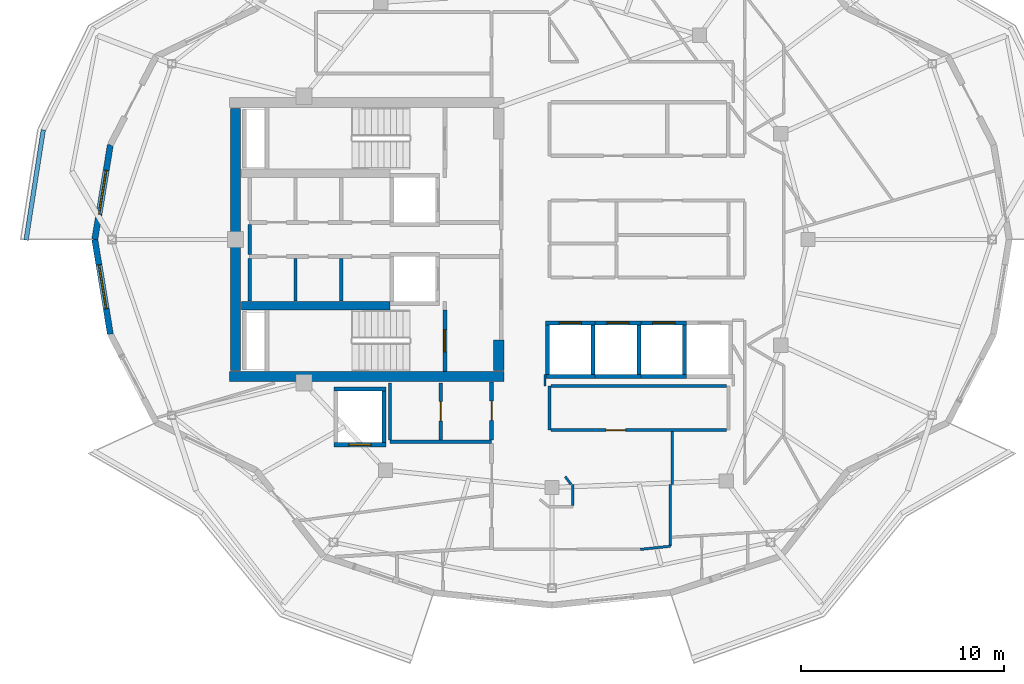
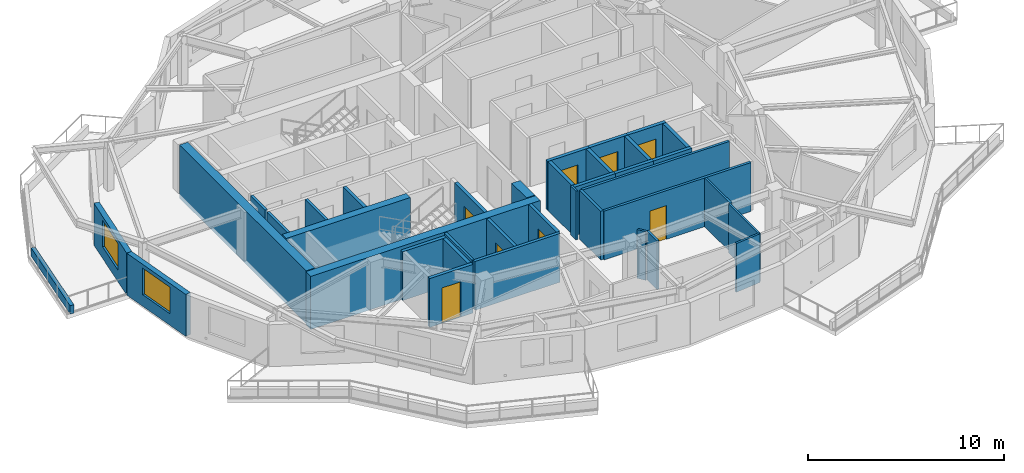
# One storey, part 4 of 11: 38 walls, 8 doors, 2 windows, 10 openings.
"""IFC4 building model written with IfcOpenShell, lengths in metres."""

from ifc_helpers import new_model, si_unit, direction, frame, frame_2d, origin, place, context, subcontext, project, spatial, rectangle, extrude, material, layer, layer_set, type_object, element, fill, save


model = new_model("IFC4")

# Units and contexts
model_context = context("Model", 3, precision=1e-05, world=origin(), true_north=direction((0.0, 1.0)))
body_context = subcontext(model_context, "Body", "Model", "MODEL_VIEW")
ifc_project = project(units=[si_unit("LENGTHUNIT", "METRE"), si_unit("AREAUNIT", "SQUARE_METRE"), si_unit("VOLUMEUNIT", "CUBIC_METRE"), si_unit("PLANEANGLEUNIT", "RADIAN"), si_unit("MASSUNIT", "GRAM", prefix="KILO")], contexts=[model_context])

# Site, building, storey
site_placement = place(None, origin())
site = spatial("IfcSite", under=ifc_project, at=site_placement, CompositionType="ELEMENT")
building_placement = place(site_placement, origin())
building = spatial("IfcBuilding", under=site, at=building_placement, Name="Kolvaren Gate Tower and Convention Centre", CompositionType="ELEMENT")
storey_placement = place(building_placement, frame((0.0, 0.0, 242.60009765625)))
storey = spatial("IfcBuildingStorey", under=building, at=storey_placement, Name="L65", CompositionType="ELEMENT", Elevation=242.60009765625)

# Walls
ifc_material_1 = material(Name="Autoclaved Aerated Masonry Blockwork Class 4 (4.0 MPa)", Category="masonry")
ifc_layer_1 = layer(ifc_material_1, 0.179931640625)
ifc_layer_set_1 = layer_set([ifc_layer_1], Name="Autoclaved Aerated Masonry Blockwork Class 4 (4.0 MPa)")
wall_type_1 = type_object("IfcWallType", Name="ARCH-WL-COMP-180", PredefinedType="SOLIDWALL", material=ifc_layer_set_1)
wall_1_placement = place(storey_placement, frame((19.75, 23.9619140625, 0.0), z_axis=(0.0, 0.0, 1.0), x_axis=(0.0, 1.0, 0.0)))
element("IfcWall", 1, at=wall_1_placement, inside=storey, type_object=wall_type_1, Name="Interior Partition WL-L65-INT-007", PredefinedType="SOLIDWALL", context=body_context, shape_type="SweptSolid", body=[
    extrude(rectangle(XDim=2.106201171875, YDim=0.179931640625, at=frame_2d((1.05322265625, 0.0))), origin(), (0.0, 0.0, 1.0), 3.02978515625),
])
wall_2_placement = place(storey_placement, frame((22.14990234375, 17.050048828125, 0.0), z_axis=(0.0, 0.0, 1.0), x_axis=(1.0, 0.0, 0.0)))
element("IfcWall", 2, at=wall_2_placement, inside=storey, type_object=wall_type_1, Name="Interior Partition WL-L65-INT-011", PredefinedType="SOLIDWALL", context=body_context, shape_type="SweptSolid", body=[
    extrude(rectangle(XDim=5.0, YDim=0.179931640625, at=frame_2d((2.5, 0.0))), origin(), (0.0, 0.0, 1.0), 3.02978515625),
])

# Wall, opening, door
wall_3_placement = place(storey_placement, frame((24.64990234375, 17.14208984375, 0.0), z_axis=(0.0, 0.0, 1.0), x_axis=(0.0, 1.0, 0.0)))
wall_3 = element("IfcWall", 3, at=wall_3_placement, inside=storey, type_object=wall_type_1, Name="Interior Partition WL-L65-INT-013", PredefinedType="SOLIDWALL", context=body_context, shape_type="SweptSolid", body=[
    extrude(rectangle(XDim=2.807861328125, YDim=0.179931640625, at=frame_2d((1.40380859375, 0.0))), origin(), (0.0, 0.0, 1.0), 3.02978515625),
])
opening_1_placement = place(wall_3_placement, frame((0.928955078125, 0.0, 0.0)))
opening_1 = element("IfcOpeningElement", 4, at=opening_1_placement, cuts=wall_3, Name="Opening DR-01", PredefinedType="OPENING", context=body_context, shape_type="SweptSolid", body=[
    extrude(rectangle(XDim=0.949951171875, YDim=2.10009765625, at=frame_2d((0.47509765625, 1.050048828125))), frame((0.0, 0.099853515625, 0.0), z_axis=(0.0, -1.0, 0.0), x_axis=(1.0, 0.0, 0.0)), (0.0, 0.0, 1.0), 0.199951171875),
])
ifc_material_2 = material(Name="Painted Architectural Steelwork ASTM A500 Grade C 345 MPa", Category="steel")
door_type_1 = type_object("IfcDoorType", Name="ARCH-DR-RISER-950", OperationType="SINGLE_SWING_RIGHT", PredefinedType="DOOR", material=ifc_material_2)
door_1_placement = place(opening_1_placement, origin())
door_1 = element("IfcDoor", 5, at=door_1_placement, inside=storey, type_object=door_type_1, Name="West Valet Store Door", OperationType="SINGLE_SWING_RIGHT", OverallHeight=2.10009765625, OverallWidth=0.949951171875, PredefinedType="DOOR", context=body_context, shape_type="SweptSolid", body=[
    extrude(rectangle(XDim=0.949951171875, YDim=2.10009765625, at=frame_2d((0.47509765625, 1.050048828125))), frame((0.0, 0.02490234375, 0.0), z_axis=(0.0, -1.0, 0.0), x_axis=(1.0, 0.0, 0.0)), (0.0, 0.0, 1.0), 0.050048828125),
])
fill(opening_1, door_1)

wall_4_placement = place(storey_placement, frame((27.14990234375, 17.14208984375, 0.0), z_axis=(0.0, 0.0, 1.0), x_axis=(0.0, 1.0, 0.0)))
wall_4 = element("IfcWall", 6, at=wall_4_placement, inside=storey, type_object=wall_type_1, Name="Interior Partition WL-L65-INT-014 (2)", PredefinedType="SOLIDWALL", context=body_context, shape_type="SweptSolid", body=[
    extrude(rectangle(XDim=2.85595703125, YDim=0.179931640625, at=frame_2d((1.427978515625, 0.0))), origin(), (0.0, 0.0, 1.0), 3.02978515625),
])
opening_2_placement = place(wall_4_placement, frame((0.952880859375, 0.0, 0.0)))
opening_2 = element("IfcOpeningElement", 7, at=opening_2_placement, cuts=wall_4, Name="Opening DR-01", PredefinedType="OPENING", context=body_context, shape_type="SweptSolid", body=[
    extrude(rectangle(XDim=0.949951171875, YDim=2.10009765625, at=frame_2d((0.47509765625, 1.050048828125))), frame((0.0, 0.099853515625, 0.0), z_axis=(0.0, -1.0, 0.0), x_axis=(1.0, 0.0, 0.0)), (0.0, 0.0, 1.0), 0.199951171875),
])
door_2_placement = place(opening_2_placement, origin())
door_2 = element("IfcDoor", 8, at=door_2_placement, inside=storey, type_object=door_type_1, Name="Metering Switch Room Door", OperationType="SINGLE_SWING_RIGHT", OverallHeight=2.10009765625, OverallWidth=0.949951171875, PredefinedType="DOOR", context=body_context, shape_type="SweptSolid", body=[
    extrude(rectangle(XDim=0.949951171875, YDim=2.10009765625, at=frame_2d((0.47509765625, 1.050048828125))), frame((0.0, 0.02490234375, 0.0), z_axis=(0.0, -1.0, 0.0), x_axis=(1.0, 0.0, 0.0)), (0.0, 0.0, 1.0), 0.050048828125),
])
fill(opening_2, door_2)

# Walls
ifc_material_3 = material(Name="Fire-Rated Acoustic Gypsum Stud Partition", Category="gypsum")
ifc_layer_2 = layer(ifc_material_3, 0.1201171875)
ifc_layer_set_2 = layer_set([ifc_layer_2], Name="Fire-Rated Acoustic Gypsum Stud Partition")
wall_type_2 = type_object("IfcWallType", Name="ARCH-WL-PART-120", PredefinedType="PARTITIONING", material=ifc_layer_set_2)
wall_5_placement = place(storey_placement, frame((29.780029296875, 19.800048828125, 0.0), z_axis=(0.0, 0.0, 1.0), x_axis=(0.0, 1.0, 0.0)))
element("IfcWall", 9, at=wall_5_placement, inside=storey, type_object=wall_type_2, Name="Interior Partition WL-L65-INT-060", PredefinedType="PARTITIONING", context=body_context, shape_type="SweptSolid", body=[
    extrude(rectangle(XDim=0.56005859375, YDim=0.1201171875, at=frame_2d((0.280029296875, 0.0))), origin(), (0.0, 0.0, 1.0), 3.02978515625),
])
wall_6_placement = place(storey_placement, frame((36.050048828125, 14.949951171875, 0.0), z_axis=(0.0, 0.0, 1.0), x_axis=(0.0, 1.0, 0.0)))
element("IfcWall", 10, at=wall_6_placement, inside=storey, type_object=wall_type_2, Name="Interior Partition WL-L65-INT-061", PredefinedType="PARTITIONING", context=body_context, shape_type="SweptSolid", body=[
    extrude(rectangle(XDim=2.593017578125, YDim=0.1201171875, at=frame_2d((1.29638671875, 0.0))), origin(), (0.0, 0.0, 1.0), 3.02978515625),
])
wall_7_placement = place(storey_placement, frame((35.949951171875, 11.906005859375, 0.0), z_axis=(0.0, 0.0, 1.0), x_axis=(0.0, 1.0, 0.0)))
element("IfcWall", 11, at=wall_7_placement, inside=storey, type_object=wall_type_2, Name="Interior Partition WL-L65-INT-062", PredefinedType="PARTITIONING", context=body_context, shape_type="SweptSolid", body=[
    extrude(rectangle(XDim=3.0439453125, YDim=0.1201171875, at=frame_2d((1.52197265625, 0.0))), origin(), (0.0, 0.0, 1.0), 3.02978515625),
])
wall_8_placement = place(storey_placement, frame((34.468017578125, 11.75, 0.0), z_axis=(0.0, 0.0, 1.0), x_axis=(0.994504555135, 0.104693313135, 0.0)))
element("IfcWall", 12, at=wall_8_placement, inside=storey, type_object=wall_type_2, Name="Interior Partition WL-L65-INT-063", PredefinedType="PARTITIONING", context=body_context, shape_type="SweptSolid", body=[
    extrude(rectangle(XDim=1.490234375, YDim=0.1201171875, at=frame_2d((0.7451171875, 0.0))), origin(), (0.0, 0.0, 1.0), 3.02978515625),
])
wall_9_placement = place(storey_placement, frame((31.14990234375, 13.912109375, 0.0), z_axis=(0.0, 0.0, 1.0), x_axis=(0.0, 1.0, 0.0)))
element("IfcWall", 13, at=wall_9_placement, inside=storey, type_object=wall_type_2, Name="Interior Partition WL-L65-INT-067", PredefinedType="PARTITIONING", context=body_context, shape_type="SweptSolid", body=[
    extrude(rectangle(XDim=1.037841796875, YDim=0.1201171875, at=frame_2d((0.51904296875, 0.0))), origin(), (0.0, 0.0, 1.0), 3.02978515625),
])
wall_10_placement = place(storey_placement, frame((30.77392578125, 15.3330078125, 0.0), z_axis=(0.0, 0.0, 1.0), x_axis=(0.595814974861, -0.803121731577, 0.0)))
element("IfcWall", 14, at=wall_10_placement, inside=storey, type_object=wall_type_2, Name="Interior Partition WL-L65-INT-068", PredefinedType="PARTITIONING", context=body_context, shape_type="SweptSolid", body=[
    extrude(rectangle(XDim=0.47705078125, YDim=0.1201171875, at=frame_2d((0.238525390625, 0.0))), origin(), (0.0, 0.0, 1.0), 3.02978515625),
])
ifc_material_4 = material(Name="Piedmont Cream Honed Limestone Cladding", Category="masonry")
ifc_layer_3 = layer(ifc_material_4, 0.219970703125)
ifc_layer_set_3 = layer_set([ifc_layer_3], Name="Piedmont Cream Honed Limestone Cladding")
wall_type_3 = type_object("IfcWallType", Name="ARCH-WL-PLANTER-220", PredefinedType="PARAPET", material=ifc_layer_set_3)
wall_11_placement = place(storey_placement, frame((4.243408203125, 26.970703125, 0.0), z_axis=(0.0, 0.0, 1.0), x_axis=(0.154441975483, 0.988001860428, 0.0)))
element("IfcWall", 15, at=wall_11_placement, inside=storey, type_object=wall_type_3, Name="Vertical-Forest Balcony Stone Planter Kerb PK-L65-2.3", PredefinedType="PARAPET", context=body_context, shape_type="SweptSolid", body=[
    extrude(rectangle(XDim=5.49169921875, YDim=0.219970703125, at=frame_2d((2.745849609375, 0.0))), origin(), (0.0, 0.0, 1.0), 0.52001953125),
])
ifc_layer_4 = layer(ifc_material_1, 0.199951171875)
ifc_layer_set_4 = layer_set([ifc_layer_4], Name="Autoclaved Aerated Masonry Blockwork Class 4 (4.0 MPa)")
wall_type_4 = type_object("IfcWallType", Name="ARCH-WL-SHAFT-200", PredefinedType="SOLIDWALL", material=ifc_layer_set_4)
wall_12_placement = place(storey_placement, frame((19.39990234375, 19.64990234375, 0.0), z_axis=(0.0, 0.0, 1.0), x_axis=(1.0, 0.0, 0.0)))
element("IfcWall", 16, at=wall_12_placement, inside=storey, type_object=wall_type_4, Name="Elevator SV-01 L65 Fire Shaft Wall N", PredefinedType="SOLIDWALL", context=body_context, shape_type="SweptSolid", body=[
    extrude(rectangle(XDim=2.550048828125, YDim=0.199951171875, at=frame_2d((1.27490234375, 0.0))), origin(), (0.0, 0.0, 1.0), 3.02978515625),
])

# Wall, opening, door
wall_13_placement = place(storey_placement, frame((19.39990234375, 16.89990234375, 0.0), z_axis=(0.0, 0.0, 1.0), x_axis=(1.0, 0.0, 0.0)))
wall_13 = element("IfcWall", 17, at=wall_13_placement, inside=storey, type_object=wall_type_4, Name="Elevator SV-01 L65 Fire Shaft Wall S", PredefinedType="SOLIDWALL", context=body_context, shape_type="SweptSolid", body=[
    extrude(rectangle(XDim=2.550048828125, YDim=0.199951171875, at=frame_2d((1.27490234375, 0.0))), origin(), (0.0, 0.0, 1.0), 3.02978515625),
])
opening_3_placement = place(wall_13_placement, frame((0.72509765625, 0.0, 0.0)))
opening_3 = element("IfcOpeningElement", 18, at=opening_3_placement, cuts=wall_13, Name="Opening LD", PredefinedType="OPENING", context=body_context, shape_type="SweptSolid", body=[
    extrude(rectangle(XDim=1.10009765625, YDim=2.199951171875, at=frame_2d((0.550048828125, 1.10009765625))), frame((0.0, 0.10986328125, 0.0), z_axis=(0.0, -1.0, 0.0), x_axis=(1.0, 0.0, 0.0)), (0.0, 0.0, 1.0), 0.219970703125),
])
ifc_material_5 = material(Name="Brushed Stainless Steel Grade 316L", Category="steel")
door_type_2 = type_object("IfcDoorType", Name="ARCH-DR-LIFT-1100", OperationType="SLIDING_TO_LEFT", PredefinedType="DOOR", material=ifc_material_5)
door_3_placement = place(opening_3_placement, origin())
door_3 = element("IfcDoor", 19, at=door_3_placement, inside=storey, type_object=door_type_2, Name="Elevator SV-01 L65 Sliding Landing Door", OperationType="SLIDING_TO_LEFT", OverallHeight=2.199951171875, OverallWidth=1.10009765625, PredefinedType="DOOR", context=body_context, shape_type="SweptSolid", body=[
    extrude(rectangle(XDim=1.10009765625, YDim=2.199951171875, at=frame_2d((0.550048828125, 1.10009765625))), frame((0.0, 0.02490234375, 0.0), z_axis=(0.0, -1.0, 0.0), x_axis=(1.0, 0.0, 0.0)), (0.0, 0.0, 1.0), 0.050048828125),
])
fill(opening_3, door_3)

# Wall
wall_14_placement = place(storey_placement, frame((21.85009765625, 17.010009765625, 0.0), z_axis=(0.0, 0.0, 1.0), x_axis=(0.0, 1.0, 0.0)))
element("IfcWall", 20, at=wall_14_placement, inside=storey, type_object=wall_type_4, Name="Elevator SV-01 L65 Fire Shaft Wall E", PredefinedType="SOLIDWALL", context=body_context, shape_type="SweptSolid", body=[
    extrude(rectangle(XDim=2.530029296875, YDim=0.199951171875, at=frame_2d((1.26513671875, 0.0))), origin(), (0.0, 0.0, 1.0), 3.02978515625),
])

# Wall, opening, door
wall_15_placement = place(storey_placement, frame((29.800048828125, 22.89990234375, 0.0), z_axis=(0.0, 0.0, 1.0), x_axis=(1.0, 0.0, 0.0)))
wall_15 = element("IfcWall", 21, at=wall_15_placement, inside=storey, type_object=wall_type_4, Name="Elevator PL-09 L65 Fire Shaft Wall N", PredefinedType="SOLIDWALL", context=body_context, shape_type="SweptSolid", body=[
    extrude(rectangle(XDim=2.449951171875, YDim=0.199951171875, at=frame_2d((1.22509765625, 0.0))), origin(), (0.0, 0.0, 1.0), 3.02978515625),
])
opening_4_placement = place(wall_15_placement, frame((0.675048828125, 0.0, 0.0)))
opening_4 = element("IfcOpeningElement", 22, at=opening_4_placement, cuts=wall_15, Name="Opening LD", PredefinedType="OPENING", context=body_context, shape_type="SweptSolid", body=[
    extrude(rectangle(XDim=1.10009765625, YDim=2.199951171875, at=frame_2d((0.550048828125, 1.10009765625))), frame((0.0, 0.10986328125, 0.0), z_axis=(0.0, -1.0, 0.0), x_axis=(1.0, 0.0, 0.0)), (0.0, 0.0, 1.0), 0.219970703125),
])
door_4_placement = place(opening_4_placement, origin())
door_4 = element("IfcDoor", 23, at=door_4_placement, inside=storey, type_object=door_type_2, Name="Elevator PL-09 L65 Sliding Landing Door", OperationType="SLIDING_TO_LEFT", OverallHeight=2.199951171875, OverallWidth=1.10009765625, PredefinedType="DOOR", context=body_context, shape_type="SweptSolid", body=[
    extrude(rectangle(XDim=1.10009765625, YDim=2.199951171875, at=frame_2d((0.550048828125, 1.10009765625))), frame((0.0, 0.02490234375, 0.0), z_axis=(0.0, -1.0, 0.0), x_axis=(1.0, 0.0, 0.0)), (0.0, 0.0, 1.0), 0.050048828125),
])
fill(opening_4, door_4)

# Walls
wall_16_placement = place(storey_placement, frame((29.800048828125, 20.25, 0.0), z_axis=(0.0, 0.0, 1.0), x_axis=(1.0, 0.0, 0.0)))
element("IfcWall", 24, at=wall_16_placement, inside=storey, type_object=wall_type_4, Name="Elevator PL-09 L65 Fire Shaft Wall S", PredefinedType="SOLIDWALL", context=body_context, shape_type="SweptSolid", body=[
    extrude(rectangle(XDim=2.449951171875, YDim=0.199951171875, at=frame_2d((1.22509765625, 0.0))), origin(), (0.0, 0.0, 1.0), 3.02978515625),
])
for number, where, z_axis, x_axis, name in (
    (25, (29.89990234375, 20.360107421875, 0.0), (0.0, 0.0, 1.0), (0.0, 1.0, 0.0), "Elevator PL-09 L65 Fire Shaft Wall W"),
    (26, (32.14990234375, 20.360107421875, 0.0), (0.0, 0.0, 1.0), (0.0, 1.0, 0.0), "Elevator PL-09 L65 Fire Shaft Wall E"),
):
    element("IfcWall", number, at=place(storey_placement, frame(where, z_axis=z_axis, x_axis=x_axis)), inside=storey, type_object=wall_type_4, Name=name, PredefinedType="SOLIDWALL", context=body_context, shape_type="SweptSolid", body=[
        extrude(rectangle(XDim=2.429931640625, YDim=0.199951171875, at=frame_2d((1.21484375, 0.0))), origin(), (0.0, 0.0, 1.0), 3.02978515625),
    ])

# Wall, opening, door
wall_17_placement = place(storey_placement, frame((32.25, 22.89990234375, 0.0), z_axis=(0.0, 0.0, 1.0), x_axis=(1.0, 0.0, 0.0)))
wall_17 = element("IfcWall", 27, at=wall_17_placement, inside=storey, type_object=wall_type_4, Name="Elevator PL-10 L65 Fire Shaft Wall N", PredefinedType="SOLIDWALL", context=body_context, shape_type="SweptSolid", body=[
    extrude(rectangle(XDim=2.25, YDim=0.199951171875, at=frame_2d((1.125, 0.0))), origin(), (0.0, 0.0, 1.0), 3.02978515625),
])
opening_5_placement = place(wall_17_placement, frame((0.574951171875, 0.0, 0.0)))
opening_5 = element("IfcOpeningElement", 28, at=opening_5_placement, cuts=wall_17, Name="Opening LD", PredefinedType="OPENING", context=body_context, shape_type="SweptSolid", body=[
    extrude(rectangle(XDim=1.10009765625, YDim=2.199951171875, at=frame_2d((0.550048828125, 1.10009765625))), frame((0.0, 0.10986328125, 0.0), z_axis=(0.0, -1.0, 0.0), x_axis=(1.0, 0.0, 0.0)), (0.0, 0.0, 1.0), 0.219970703125),
])
door_5_placement = place(opening_5_placement, origin())
door_5 = element("IfcDoor", 29, at=door_5_placement, inside=storey, type_object=door_type_2, Name="Elevator PL-10 L65 Sliding Landing Door", OperationType="SLIDING_TO_LEFT", OverallHeight=2.199951171875, OverallWidth=1.10009765625, PredefinedType="DOOR", context=body_context, shape_type="SweptSolid", body=[
    extrude(rectangle(XDim=1.10009765625, YDim=2.199951171875, at=frame_2d((0.550048828125, 1.10009765625))), frame((0.0, 0.02490234375, 0.0), z_axis=(0.0, -1.0, 0.0), x_axis=(1.0, 0.0, 0.0)), (0.0, 0.0, 1.0), 0.050048828125),
])
fill(opening_5, door_5)

# Walls
wall_18_placement = place(storey_placement, frame((32.25, 20.25, 0.0), z_axis=(0.0, 0.0, 1.0), x_axis=(1.0, 0.0, 0.0)))
element("IfcWall", 30, at=wall_18_placement, inside=storey, type_object=wall_type_4, Name="Elevator PL-10 L65 Fire Shaft Wall S", PredefinedType="SOLIDWALL", context=body_context, shape_type="SweptSolid", body=[
    extrude(rectangle(XDim=2.25, YDim=0.199951171875, at=frame_2d((1.125, 0.0))), origin(), (0.0, 0.0, 1.0), 3.02978515625),
])
wall_19_placement = place(storey_placement, frame((34.39990234375, 20.360107421875, 0.0), z_axis=(0.0, 0.0, 1.0), x_axis=(0.0, 1.0, 0.0)))
element("IfcWall", 31, at=wall_19_placement, inside=storey, type_object=wall_type_4, Name="Elevator PL-10 L65 Fire Shaft Wall E", PredefinedType="SOLIDWALL", context=body_context, shape_type="SweptSolid", body=[
    extrude(rectangle(XDim=2.429931640625, YDim=0.199951171875, at=frame_2d((1.21484375, 0.0))), origin(), (0.0, 0.0, 1.0), 3.02978515625),
])

# Wall, opening, door
wall_20_placement = place(storey_placement, frame((34.5, 22.89990234375, 0.0), z_axis=(0.0, 0.0, 1.0), x_axis=(1.0, 0.0, 0.0)))
wall_20 = element("IfcWall", 32, at=wall_20_placement, inside=storey, type_object=wall_type_4, Name="Elevator PL-11 L65 Fire Shaft Wall N", PredefinedType="SOLIDWALL", context=body_context, shape_type="SweptSolid", body=[
    extrude(rectangle(XDim=2.25, YDim=0.199951171875, at=frame_2d((1.125, 0.0))), origin(), (0.0, 0.0, 1.0), 3.02978515625),
])
opening_6_placement = place(wall_20_placement, frame((0.574951171875, 0.0, 0.0)))
opening_6 = element("IfcOpeningElement", 33, at=opening_6_placement, cuts=wall_20, Name="Opening LD", PredefinedType="OPENING", context=body_context, shape_type="SweptSolid", body=[
    extrude(rectangle(XDim=1.10009765625, YDim=2.199951171875, at=frame_2d((0.550048828125, 1.10009765625))), frame((0.0, 0.10986328125, 0.0), z_axis=(0.0, -1.0, 0.0), x_axis=(1.0, 0.0, 0.0)), (0.0, 0.0, 1.0), 0.219970703125),
])
door_6_placement = place(opening_6_placement, origin())
door_6 = element("IfcDoor", 34, at=door_6_placement, inside=storey, type_object=door_type_2, Name="Elevator PL-11 L65 Sliding Landing Door", OperationType="SLIDING_TO_LEFT", OverallHeight=2.199951171875, OverallWidth=1.10009765625, PredefinedType="DOOR", context=body_context, shape_type="SweptSolid", body=[
    extrude(rectangle(XDim=1.10009765625, YDim=2.199951171875, at=frame_2d((0.550048828125, 1.10009765625))), frame((0.0, 0.02490234375, 0.0), z_axis=(0.0, -1.0, 0.0), x_axis=(1.0, 0.0, 0.0)), (0.0, 0.0, 1.0), 0.050048828125),
])
fill(opening_6, door_6)

# Walls
wall_21_placement = place(storey_placement, frame((34.5, 20.25, 0.0), z_axis=(0.0, 0.0, 1.0), x_axis=(1.0, 0.0, 0.0)))
element("IfcWall", 35, at=wall_21_placement, inside=storey, type_object=wall_type_4, Name="Elevator PL-11 L65 Fire Shaft Wall S", PredefinedType="SOLIDWALL", context=body_context, shape_type="SweptSolid", body=[
    extrude(rectangle(XDim=2.25, YDim=0.199951171875, at=frame_2d((1.125, 0.0))), origin(), (0.0, 0.0, 1.0), 3.02978515625),
])
wall_22_placement = place(storey_placement, frame((36.64990234375, 20.360107421875, 0.0), z_axis=(0.0, 0.0, 1.0), x_axis=(0.0, 1.0, 0.0)))
element("IfcWall", 36, at=wall_22_placement, inside=storey, type_object=wall_type_4, Name="Elevator PL-11 L65 Fire Shaft Wall E", PredefinedType="SOLIDWALL", context=body_context, shape_type="SweptSolid", body=[
    extrude(rectangle(XDim=2.429931640625, YDim=0.199951171875, at=frame_2d((1.21484375, 0.0))), origin(), (0.0, 0.0, 1.0), 3.02978515625),
])

# Wall, opening, window
ifc_layer_5 = layer(ifc_material_4, 0.300048828125)
ifc_layer_set_5 = layer_set([ifc_layer_5], Name="Piedmont Cream Honed Limestone Cladding")
wall_type_5 = type_object("IfcWallType", Name="ARCH-WL-STONE-300", PredefinedType="SOLIDWALL", material=ifc_layer_set_5)
wall_23_placement = place(storey_placement, frame((7.625, 27.0, 0.0), z_axis=(0.0, 0.0, 1.0), x_axis=(0.162369371657, 0.986730047758, 0.0)))
wall_23 = element("IfcWall", 37, at=wall_23_placement, inside=storey, type_object=wall_type_5, Name="Tower L65 Honed Stone Spandrel Wall EW-11", PredefinedType="SOLIDWALL", context=body_context, shape_type="SweptSolid", body=[
    extrude(rectangle(XDim=4.721435546875, YDim=0.300048828125, at=frame_2d((2.36083984375, 0.0))), origin(), (0.0, 0.0, 1.0), 2.60498046875),
])
opening_7_placement = place(wall_23_placement, frame((1.260986328125, 0.0, 0.719970703125)))
opening_7 = element("IfcOpeningElement", 38, at=opening_7_placement, cuts=wall_23, Name="Opening W-03", PredefinedType="OPENING", context=body_context, shape_type="SweptSolid", body=[
    extrude(rectangle(XDim=2.199951171875, YDim=1.64990234375, at=frame_2d((1.10009765625, 0.824951171875))), frame((0.0, 0.159912109375, 0.0), z_axis=(0.0, -1.0, 0.0), x_axis=(1.0, 0.0, 0.0)), (0.0, 0.0, 1.0), 0.320068359375),
])
ifc_material_6 = material(Name="Low-E Triple Insulated Glazing Unit 44 mm", Category="glass")
window_type = type_object("IfcWindowType", Name="ARCH-WN-RES-2200", PartitioningType="SINGLE_PANEL", PredefinedType="WINDOW", material=ifc_material_6)
window_1_placement = place(opening_7_placement, origin())
window_1 = element("IfcWindow", 39, at=window_1_placement, inside=storey, type_object=window_type, Name="Tower L65 Punched Stone Facade Window W-11", OverallHeight=1.64990234375, OverallWidth=2.199951171875, PartitioningType="SINGLE_PANEL", PredefinedType="WINDOW", context=body_context, shape_type="SweptSolid", body=[
    extrude(rectangle(XDim=2.199951171875, YDim=1.64990234375, at=frame_2d((1.10009765625, 0.824951171875))), frame((0.0, 0.030029296875, 0.0), z_axis=(0.0, -1.0, 0.0), x_axis=(1.0, 0.0, 0.0)), (0.0, 0.0, 1.0), 0.06005859375),
])
fill(opening_7, window_1)

wall_24_placement = place(storey_placement, frame((7.625, 27.0, 0.0), z_axis=(0.0, 0.0, 1.0), x_axis=(0.162369371657, -0.986730047758, 0.0)))
wall_24 = element("IfcWall", 40, at=wall_24_placement, inside=storey, type_object=wall_type_5, Name="Tower L65 Honed Stone Spandrel Wall EW-12", PredefinedType="SOLIDWALL", context=body_context, shape_type="SweptSolid", body=[
    extrude(rectangle(XDim=4.721435546875, YDim=0.300048828125, at=frame_2d((2.36083984375, 0.0))), origin(), (0.0, 0.0, 1.0), 2.60498046875),
])
opening_8_placement = place(wall_24_placement, frame((1.260986328125, 0.0, 0.719970703125)))
opening_8 = element("IfcOpeningElement", 41, at=opening_8_placement, cuts=wall_24, Name="Opening W-03", PredefinedType="OPENING", context=body_context, shape_type="SweptSolid", body=[
    extrude(rectangle(XDim=2.199951171875, YDim=1.64990234375, at=frame_2d((1.10009765625, 0.824951171875))), frame((0.0, 0.159912109375, 0.0), z_axis=(0.0, -1.0, 0.0), x_axis=(1.0, 0.0, 0.0)), (0.0, 0.0, 1.0), 0.320068359375),
])
window_2_placement = place(opening_8_placement, origin())
window_2 = element("IfcWindow", 42, at=window_2_placement, inside=storey, type_object=window_type, Name="Tower L65 Punched Stone Facade Window W-12", OverallHeight=1.64990234375, OverallWidth=2.199951171875, PartitioningType="SINGLE_PANEL", PredefinedType="WINDOW", context=body_context, shape_type="SweptSolid", body=[
    extrude(rectangle(XDim=2.199951171875, YDim=1.64990234375, at=frame_2d((1.10009765625, 0.824951171875))), frame((0.0, 0.030029296875, 0.0), z_axis=(0.0, -1.0, 0.0), x_axis=(1.0, 0.0, 0.0)), (0.0, 0.0, 1.0), 0.06005859375),
])
fill(opening_8, window_2)

# Walls
ifc_material_7 = material(Name="Moisture-Resistant Cement-Board Acoustic Partition", Category="gypsum")
ifc_layer_6 = layer(ifc_material_7, 0.14990234375)
ifc_layer_set_6 = layer_set([ifc_layer_6], Name="Moisture-Resistant Cement-Board Acoustic Partition")
wall_type_6 = type_object("IfcWallType", Name="ARCH-WL-WET-150", PredefinedType="PARTITIONING", material=ifc_layer_set_6)
wall_25_placement = place(storey_placement, frame((15.25, 23.9619140625, 0.0), z_axis=(0.0, 0.0, 1.0), x_axis=(0.0, 1.0, 0.0)))
element("IfcWall", 43, at=wall_25_placement, inside=storey, type_object=wall_type_6, Name="Interior Partition WL-L65-INT-006", PredefinedType="PARTITIONING", context=body_context, shape_type="SweptSolid", body=[
    extrude(rectangle(XDim=2.106201171875, YDim=0.14990234375, at=frame_2d((1.05322265625, 0.0))), origin(), (0.0, 0.0, 1.0), 3.02978515625),
])
wall_26_placement = place(storey_placement, frame((15.25, 26.251953125, 0.0), z_axis=(0.0, 0.0, 1.0), x_axis=(0.0, 1.0, 0.0)))
element("IfcWall", 44, at=wall_26_placement, inside=storey, type_object=wall_type_6, Name="Interior Partition WL-L65-INT-006 (2)", PredefinedType="PARTITIONING", context=body_context, shape_type="SweptSolid", body=[
    extrude(rectangle(XDim=1.49609375, YDim=0.14990234375, at=frame_2d((0.748046875, 0.0))), origin(), (0.0, 0.0, 1.0), 3.02978515625),
])
wall_27_placement = place(storey_placement, frame((17.5, 23.9619140625, 0.0), z_axis=(0.0, 0.0, 1.0), x_axis=(0.0, 1.0, 0.0)))
element("IfcWall", 45, at=wall_27_placement, inside=storey, type_object=wall_type_6, Name="Interior Partition WL-L65-INT-009", PredefinedType="PARTITIONING", context=body_context, shape_type="SweptSolid", body=[
    extrude(rectangle(XDim=2.106201171875, YDim=0.14990234375, at=frame_2d((1.05322265625, 0.0))), origin(), (0.0, 0.0, 1.0), 3.02978515625),
])
wall_28_placement = place(storey_placement, frame((22.14990234375, 17.14208984375, 0.0), z_axis=(0.0, 0.0, 1.0), x_axis=(0.0, 1.0, 0.0)))
element("IfcWall", 46, at=wall_28_placement, inside=storey, type_object=wall_type_6, Name="Interior Partition WL-L65-INT-012", PredefinedType="PARTITIONING", context=body_context, shape_type="SweptSolid", body=[
    extrude(rectangle(XDim=2.807861328125, YDim=0.14990234375, at=frame_2d((1.40380859375, 0.0))), origin(), (0.0, 0.0, 1.0), 3.02978515625),
])
wall_29_placement = place(storey_placement, frame((30.0, 17.6201171875, 0.0), z_axis=(0.0, 0.0, 1.0), x_axis=(0.0, 1.0, 0.0)))
element("IfcWall", 47, at=wall_29_placement, inside=storey, type_object=wall_type_6, Name="Interior Partition WL-L65-INT-017", PredefinedType="PARTITIONING", context=body_context, shape_type="SweptSolid", body=[
    extrude(rectangle(XDim=2.179931640625, YDim=0.14990234375, at=frame_2d((1.08984375, 0.0))), origin(), (0.0, 0.0, 1.0), 3.02978515625),
])

# Wall, opening, door
wall_30_placement = place(storey_placement, frame((30.076904296875, 17.6201171875, 0.0), z_axis=(0.0, 0.0, 1.0), x_axis=(1.0, 0.0, 0.0)))
wall_30 = element("IfcWall", 48, at=wall_30_placement, inside=storey, type_object=wall_type_6, Name="Interior Partition WL-L65-INT-031", PredefinedType="PARTITIONING", context=body_context, shape_type="SweptSolid", body=[
    extrude(rectangle(XDim=8.64599609375, YDim=0.14990234375, at=frame_2d((4.322998046875, 0.0))), origin(), (0.0, 0.0, 1.0), 3.02978515625),
])
opening_9_placement = place(wall_30_placement, frame((2.716552734375, 0.0, 0.0)))
opening_9 = element("IfcOpeningElement", 49, at=opening_9_placement, cuts=wall_30, Name="Opening DR-01", PredefinedType="OPENING", context=body_context, shape_type="SweptSolid", body=[
    extrude(rectangle(XDim=0.949951171875, YDim=2.10009765625, at=frame_2d((0.47509765625, 1.050048828125))), frame((0.0, 0.0849609375, 0.0), z_axis=(0.0, -1.0, 0.0), x_axis=(1.0, 0.0, 0.0)), (0.0, 0.0, 1.0), 0.169921875),
])
door_7_placement = place(opening_9_placement, origin())
door_7 = element("IfcDoor", 50, at=door_7_placement, inside=storey, type_object=door_type_1, Name="Resident Luggage Store Door", OperationType="SINGLE_SWING_LEFT", OverallHeight=2.10009765625, OverallWidth=0.949951171875, PredefinedType="DOOR", context=body_context, shape_type="SweptSolid", body=[
    extrude(rectangle(XDim=0.949951171875, YDim=2.10009765625, at=frame_2d((0.47509765625, 1.050048828125))), frame((0.0, 0.02490234375, 0.0), z_axis=(0.0, -1.0, 0.0), x_axis=(1.0, 0.0, 0.0)), (0.0, 0.0, 1.0), 0.050048828125),
])
fill(opening_9, door_7)

# Walls
wall_31_placement = place(storey_placement, frame((30.076904296875, 19.800048828125, 0.0), z_axis=(0.0, 0.0, 1.0), x_axis=(1.0, 0.0, 0.0)))
element("IfcWall", 51, at=wall_31_placement, inside=storey, type_object=wall_type_6, Name="Interior Partition WL-L65-INT-032", PredefinedType="PARTITIONING", context=body_context, shape_type="SweptSolid", body=[
    extrude(rectangle(XDim=8.64599609375, YDim=0.14990234375, at=frame_2d((4.322998046875, 0.0))), origin(), (0.0, 0.0, 1.0), 3.02978515625),
])
ifc_material_8 = material(Name="Concrete C50/60", Category="concrete")
ifc_layer_7 = layer(ifc_material_8, 0.419921875)
ifc_layer_set_7 = layer_set([ifc_layer_7], Name="Concrete C50/60")
wall_type_7 = type_object("IfcWallType", Name="STR-WL-CONV-420", PredefinedType="SHEAR", material=ifc_layer_set_7)
wall_32_placement = place(storey_placement, frame((14.85009765625, 23.75, -0.27001953125), z_axis=(0.0, 0.0, 1.0), x_axis=(1.0, 0.0, 0.0)))
element("IfcWall", 52, at=wall_32_placement, inside=storey, type_object=wall_type_7, Name="Tower L65 Offset Core Shear Wall WS", PredefinedType="SHEAR", context=body_context, shape_type="SweptSolid", body=[
    extrude(rectangle(XDim=7.2998046875, YDim=0.419921875, at=frame_2d((3.64990234375, 0.0))), origin(), (0.0, 0.0, 1.0), 3.2998046875),
])
ifc_layer_8 = layer(ifc_material_8, 0.5)
ifc_layer_set_8 = layer_set([ifc_layer_8], Name="Concrete C50/60")
wall_type_8 = type_object("IfcWallType", Name="STR-WL-CORE-500", PredefinedType="SHEAR", material=ifc_layer_set_8)
wall_33_placement = place(storey_placement, frame((14.25, 20.25, -0.27001953125), z_axis=(0.0, 0.0, 1.0), x_axis=(1.0, 0.0, 0.0)))
element("IfcWall", 53, at=wall_33_placement, inside=storey, type_object=wall_type_8, Name="Tower L65 Offset Core Shear Wall S", PredefinedType="SHEAR", context=body_context, shape_type="SweptSolid", body=[
    extrude(rectangle(XDim=13.5, YDim=0.5, at=frame_2d((6.75, 0.0))), origin(), (0.0, 0.0, 1.0), 3.2998046875),
])
wall_34_placement = place(storey_placement, frame((14.550048828125, 20.550048828125, -0.27001953125), z_axis=(0.0, 0.0, 1.0), x_axis=(0.0, 1.0, 0.0)))
element("IfcWall", 54, at=wall_34_placement, inside=storey, type_object=wall_type_8, Name="Tower L65 Offset Core Shear Wall W", PredefinedType="SHEAR", context=body_context, shape_type="SweptSolid", body=[
    extrude(rectangle(XDim=12.89990234375, YDim=0.5, at=frame_2d((6.449951171875, 0.0))), origin(), (0.0, 0.0, 1.0), 3.2998046875),
])
wall_35_placement = place(storey_placement, frame((27.5, 20.550048828125, -0.27001953125), z_axis=(0.0, 0.0, 1.0), x_axis=(0.0, 1.0, 0.0)))
element("IfcWall", 55, at=wall_35_placement, inside=storey, type_object=wall_type_8, Name="Tower L65 Offset Core Shear Wall ES", PredefinedType="SHEAR", context=body_context, shape_type="SweptSolid", body=[
    extrude(rectangle(XDim=1.5, YDim=0.5, at=frame_2d((0.75, 0.0))), origin(), (0.0, 0.0, 1.0), 3.2998046875),
])

# Wall, opening, door
ifc_layer_9 = layer(ifc_material_8, 0.199951171875)
ifc_layer_set_9 = layer_set([ifc_layer_9], Name="Concrete C50/60")
wall_type_9 = type_object("IfcWallType", Name="STR-WL-SHAFT-200", PredefinedType="SHEAR", material=ifc_layer_set_9)
wall_36_placement = place(storey_placement, frame((24.85009765625, 20.501953125, -0.27001953125), z_axis=(0.0, 0.0, 1.0), x_axis=(0.0, 1.0, 0.0)))
wall_36 = element("IfcWall", 56, at=wall_36_placement, inside=storey, type_object=wall_type_9, Name="Tower South Exit Stair ST-T2 L65 Structural Shear Enclosure Wall NEAR", PredefinedType="SHEAR", context=body_context, shape_type="SweptSolid", body=[
    extrude(rectangle(XDim=3.0380859375, YDim=0.199951171875, at=frame_2d((1.51904296875, 0.0))), origin(), (0.0, 0.0, 1.0), 3.2998046875),
])
opening_10_placement = place(wall_36_placement, frame((0.968994140625, 0.0, 0.27001953125)))
opening_10 = element("IfcOpeningElement", 57, at=opening_10_placement, cuts=wall_36, Name="Opening DS-01", PredefinedType="OPENING", context=body_context, shape_type="SweptSolid", body=[
    extrude(rectangle(XDim=1.10009765625, YDim=2.14990234375, at=frame_2d((0.550048828125, 1.074951171875))), frame((0.0, 0.10986328125, 0.0), z_axis=(0.0, -1.0, 0.0), x_axis=(1.0, 0.0, 0.0)), (0.0, 0.0, 1.0), 0.219970703125),
])
door_type_3 = type_object("IfcDoorType", Name="ARCH-DR-STAIR-1100", OperationType="SINGLE_SWING_LEFT", PredefinedType="DOOR", material=ifc_material_2)
door_8_placement = place(opening_10_placement, origin())
door_8 = element("IfcDoor", 58, at=door_8_placement, inside=storey, type_object=door_type_3, Name="Tower South Exit Stair ST-T2 L65 Fire Exit Stair Door", OperationType="SINGLE_SWING_LEFT", OverallHeight=2.14990234375, OverallWidth=1.10009765625, PredefinedType="DOOR", context=body_context, shape_type="SweptSolid", body=[
    extrude(rectangle(XDim=1.10009765625, YDim=2.14990234375, at=frame_2d((0.550048828125, 1.074951171875))), frame((0.0, 0.02490234375, 0.0), z_axis=(0.0, -1.0, 0.0), x_axis=(1.0, 0.0, 0.0)), (0.0, 0.0, 1.0), 0.050048828125),
])
fill(opening_10, door_8)

save(model, "model.ifc")
